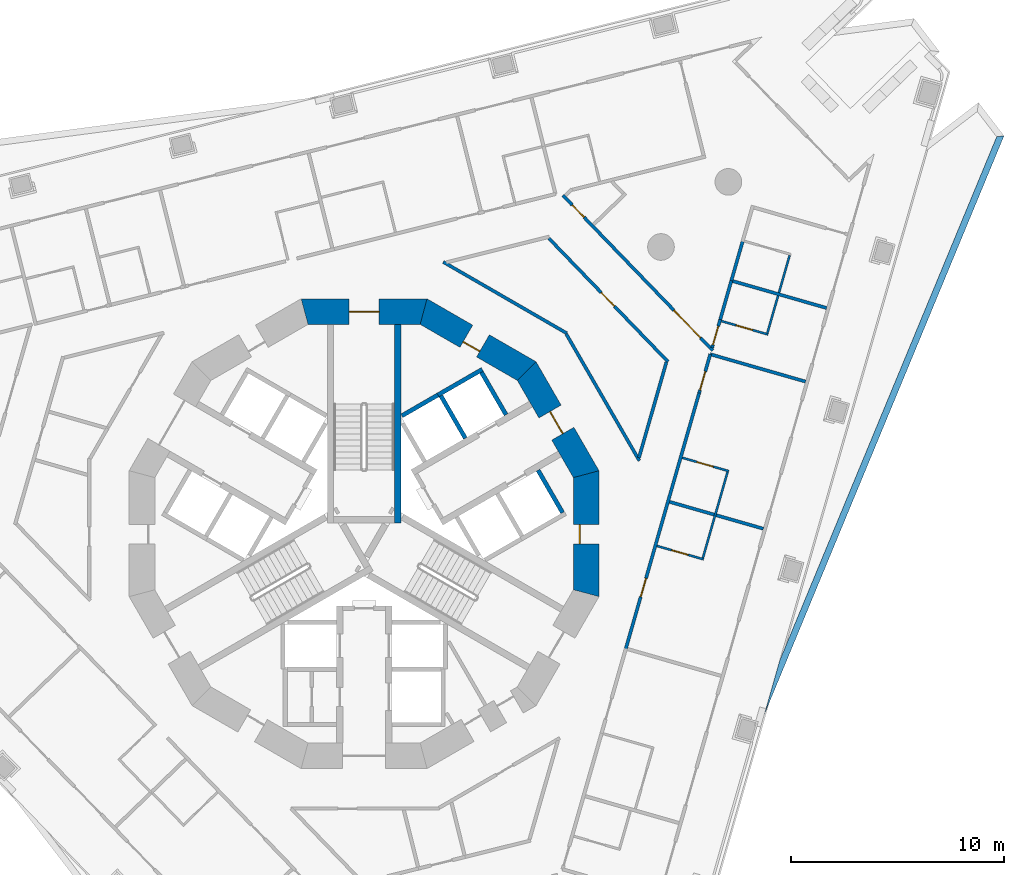
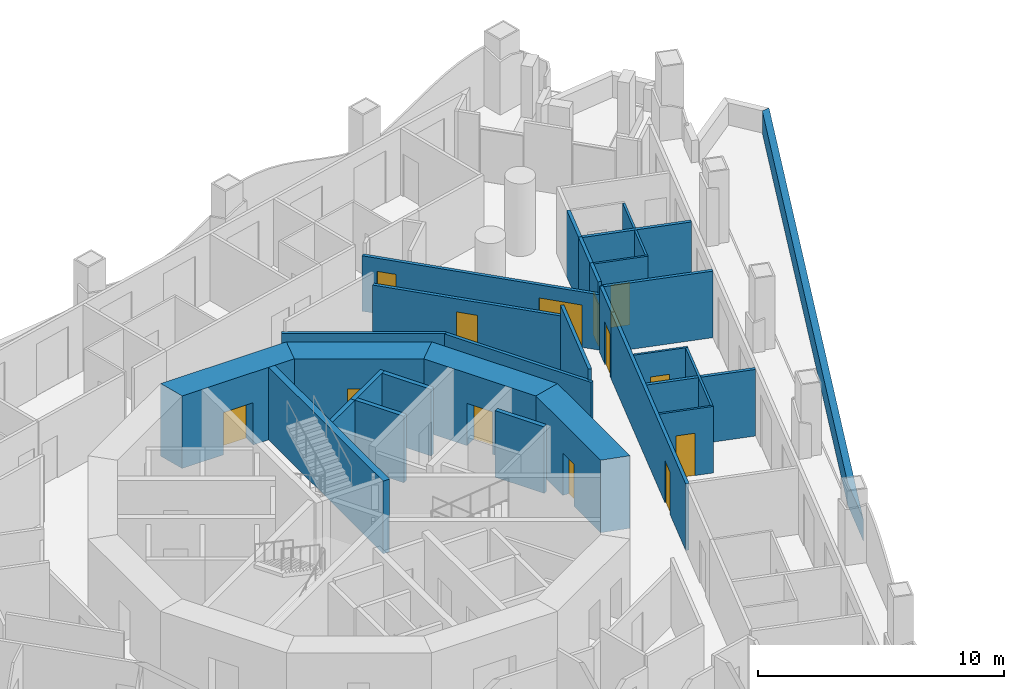
# One storey, part 9 of 19: 30 walls, 13 doors, 13 openings.
"""IFC4 building model written with IfcOpenShell, lengths in metres."""

from ifc_helpers import new_model, si_unit, direction, frame, frame_2d, origin, place, context, subcontext, project, spatial, polyline, rectangle, outline, extrude, material, layer, layer_set, type_object, element, fill, save


model = new_model("IFC4")

# Units and contexts
model_context = context("Model", 3, precision=1e-05, world=origin(), true_north=direction((0.0, 1.0)))
body_context = subcontext(model_context, "Body", "Model", "MODEL_VIEW")
ifc_project = project(units=[si_unit("LENGTHUNIT", "METRE"), si_unit("AREAUNIT", "SQUARE_METRE"), si_unit("VOLUMEUNIT", "CUBIC_METRE"), si_unit("PLANEANGLEUNIT", "RADIAN"), si_unit("MASSUNIT", "GRAM", prefix="KILO")], contexts=[model_context])

# Site, building, storey
site_placement = place(None, origin())
site = spatial("IfcSite", under=ifc_project, at=site_placement, CompositionType="ELEMENT")
building_placement = place(site_placement, origin())
building = spatial("IfcBuilding", under=site, at=building_placement, Name="Trine Commons Tower", CompositionType="ELEMENT")
storey_placement = place(building_placement, frame((0.0, 0.0, 87.300048828125)))
storey = spatial("IfcBuildingStorey", under=building, at=storey_placement, Name="L21", CompositionType="ELEMENT", Elevation=87.300048828125)

# Wall, opening, door
ifc_material_1 = material(Name="Concrete C70/85", Category="concrete")
ifc_layer_1 = layer(ifc_material_1, 1.199951171875)
ifc_layer_set_1 = layer_set([ifc_layer_1], Name="Concrete C70/85")
wall_type_1 = type_object("IfcWallType", Name="RC shear wall 1200 mm, C70/85", PredefinedType="SHEAR", material=ifc_layer_set_1)
wall_1_placement = place(storey_placement, frame((90.41162109375, 59.549560546875, 0.0), z_axis=(0.0, 0.0, 1.0), x_axis=(0.0, 1.0, 0.0)))
wall_1 = element("IfcWall", 1, at=wall_1_placement, inside=storey, type_object=wall_type_1, Name="Core wall CWC-01 L21", PredefinedType="SHEAR", context=body_context, shape_type="SweptSolid", body=[
    extrude(outline(polyline([(0.0, -0.60009765625), (5.90087890625, -0.60009765625), (5.57958984375, 0.60009765625), (0.321533203125, 0.60009765625), (0.0, -0.60009765625)])), origin(), (0.0, 0.0, 1.0), 3.599853515625),
])
opening_1_placement = place(wall_1_placement, frame((2.4755859375, 0.0, 0.0)))
opening_1 = element("IfcOpeningElement", 2, at=opening_1_placement, cuts=wall_1, Name="Opening K04.18", PredefinedType="OPENING", context=body_context, shape_type="SweptSolid", body=[
    extrude(rectangle(XDim=0.89990234375, YDim=2.10009765625, at=frame_2d((0.449951171875, 1.050048828125))), frame((0.0, 0.60986328125, 0.0), z_axis=(0.0, -1.0, 0.0), x_axis=(1.0, 0.0, 0.0)), (0.0, 0.0, 1.0), 1.219970703125),
])
ifc_material_2 = material(Name="Steel door leaf, fire-rated", Category="steel")
door_type_1 = type_object("IfcDoorType", Name="Core room door, single leaf 900 x 2100, FD30S", OperationType="SINGLE_SWING_LEFT", PredefinedType="DOOR", material=ifc_material_2)
door_1_placement = place(opening_1_placement, origin())
door_1 = element("IfcDoor", 3, at=door_1_placement, inside=storey, type_object=door_type_1, Name="Door to Parcel store L21", OperationType="SINGLE_SWING_LEFT", OverallHeight=2.10009765625, OverallWidth=0.89990234375, PredefinedType="DOOR", context=body_context, shape_type="SweptSolid", body=[
    extrude(rectangle(XDim=0.89990234375, YDim=2.10009765625, at=frame_2d((0.449951171875, 1.050048828125))), frame((0.0, 0.3251953125, 0.0), z_axis=(0.0, -1.0, 0.0), x_axis=(1.0, 0.0, 0.0)), (0.0, 0.0, 1.0), 0.050048828125),
])
fill(opening_1, door_1)

wall_2_placement = place(storey_placement, frame((90.491943359375, 65.150390625, 0.0), z_axis=(0.0, 0.0, 1.0), x_axis=(-0.499979111662, 0.866037463336, 0.0)))
wall_2 = element("IfcWall", 4, at=wall_2_placement, inside=storey, type_object=wall_type_1, Name="Core wall CWC-02 L21", PredefinedType="SHEAR", context=body_context, shape_type="SweptSolid", body=[
    extrude(outline(polyline([(0.0, -0.60009765625), (5.901123046875, -0.60009765625), (5.57958984375, 0.60009765625), (0.321533203125, 0.60009765625), (0.0, -0.60009765625)])), origin(), (0.0, 0.0, 1.0), 3.599853515625),
])
opening_2_placement = place(wall_2_placement, frame((2.3505859375, 0.0, 0.0)))
opening_2 = element("IfcOpeningElement", 5, at=opening_2_placement, cuts=wall_2, Name="Opening K04.04", PredefinedType="OPENING", context=body_context, shape_type="SweptSolid", body=[
    extrude(rectangle(XDim=1.199951171875, YDim=2.10009765625, at=frame_2d((0.60009765625, 1.050048828125))), frame((0.0, 0.60986328125, 0.0), z_axis=(0.0, -1.0, 0.0), x_axis=(1.0, 0.0, 0.0)), (0.0, 0.0, 1.0), 1.219970703125),
])
ifc_material_3 = material(Name="Steel door leaves, fire-rated", Category="steel")
door_type_2 = type_object("IfcDoorType", Name="Lobby door, double leaf 1200 x 2100, FD60", OperationType="DOUBLE_DOOR_SINGLE_SWING", PredefinedType="DOOR", material=ifc_material_3)
door_2_placement = place(opening_2_placement, origin())
door_2 = element("IfcDoor", 6, at=door_2_placement, inside=storey, type_object=door_type_2, Name="Lobby door, Passenger lift lobby A L21", OperationType="DOUBLE_DOOR_SINGLE_SWING", OverallHeight=2.10009765625, OverallWidth=1.199951171875, PredefinedType="DOOR", context=body_context, shape_type="SweptSolid", body=[
    extrude(rectangle(XDim=1.199951171875, YDim=2.10009765625, at=frame_2d((0.60009765625, 1.050048828125))), frame((0.0, 0.02490234375, 0.0), z_axis=(0.0, -1.0, 0.0), x_axis=(1.0, 0.0, 0.0)), (0.0, 0.0, 1.0), 0.050048828125),
])
fill(opening_2, door_2)

wall_3_placement = place(storey_placement, frame((87.760986328125, 70.04150390625, 0.0), z_axis=(0.0, 0.0, 1.0), x_axis=(-0.866037463336, 0.499979111662, 0.0)))
wall_3 = element("IfcWall", 7, at=wall_3_placement, inside=storey, type_object=wall_type_1, Name="Core wall CWC-03 L21", PredefinedType="SHEAR", context=body_context, shape_type="SweptSolid", body=[
    extrude(outline(polyline([(0.0, -0.60009765625), (5.901123046875, -0.60009765625), (5.57958984375, 0.60009765625), (0.321533203125, 0.60009765625), (0.0, -0.60009765625)])), origin(), (0.0, 0.0, 1.0), 3.599853515625),
])
opening_3_placement = place(wall_3_placement, frame((2.526611328125, 0.0, 0.0)))
opening_3 = element("IfcOpeningElement", 8, at=opening_3_placement, cuts=wall_3, Name="Opening K04.12", PredefinedType="OPENING", context=body_context, shape_type="SweptSolid", body=[
    extrude(rectangle(XDim=0.89990234375, YDim=2.10009765625, at=frame_2d((0.449951171875, 1.050048828125))), frame((0.0, 0.60986328125, 0.0), z_axis=(0.0, -1.0, 0.0), x_axis=(1.0, 0.0, 0.0)), (0.0, 0.0, 1.0), 1.219970703125),
])
door_3_placement = place(opening_3_placement, origin())
door_3 = element("IfcDoor", 9, at=door_3_placement, inside=storey, type_object=door_type_1, Name="Door to Linen store L21", OperationType="SINGLE_SWING_RIGHT", OverallHeight=2.10009765625, OverallWidth=0.89990234375, PredefinedType="DOOR", context=body_context, shape_type="SweptSolid", body=[
    extrude(rectangle(XDim=0.89990234375, YDim=2.10009765625, at=frame_2d((0.449951171875, 1.050048828125))), frame((0.0, 0.3251953125, 0.0), z_axis=(0.0, -1.0, 0.0), x_axis=(1.0, 0.0, 0.0)), (0.0, 0.0, 1.0), 0.050048828125),
])
fill(opening_3, door_3)

wall_4_placement = place(storey_placement, frame((82.950439453125, 72.91162109375, 0.0), z_axis=(0.0, 0.0, 1.0), x_axis=(-1.0, 0.0, 0.0)))
wall_4 = element("IfcWall", 10, at=wall_4_placement, inside=storey, type_object=wall_type_1, Name="Core wall CWC-04 L21", PredefinedType="SHEAR", context=body_context, shape_type="SweptSolid", body=[
    extrude(outline(polyline([(0.0, -0.60009765625), (5.90087890625, -0.60009765625), (5.57958984375, 0.60009765625), (0.321533203125, 0.60009765625), (0.0, -0.60009765625)])), origin(), (0.0, 0.0, 1.0), 3.599853515625),
])
opening_4_placement = place(wall_4_placement, frame((2.25048828125, 0.0, 0.0)))
opening_4 = element("IfcOpeningElement", 11, at=opening_4_placement, cuts=wall_4, Name="Opening K04.01", PredefinedType="OPENING", context=body_context, shape_type="SweptSolid", body=[
    extrude(rectangle(XDim=1.39990234375, YDim=2.10009765625, at=frame_2d((0.699951171875, 1.050048828125))), frame((0.0, 0.60986328125, 0.0), z_axis=(0.0, -1.0, 0.0), x_axis=(1.0, 0.0, 0.0)), (0.0, 0.0, 1.0), 1.219970703125),
])
door_type_3 = type_object("IfcDoorType", Name="Stair door, double leaf 1400 x 2100, FD90", OperationType="DOUBLE_DOOR_SINGLE_SWING", PredefinedType="DOOR", material=ifc_material_3)
door_4_placement = place(opening_4_placement, origin())
door_4 = element("IfcDoor", 12, at=door_4_placement, inside=storey, type_object=door_type_3, Name="Stair door to Exit stair ST1A L21", OperationType="DOUBLE_DOOR_SINGLE_SWING", OverallHeight=2.10009765625, OverallWidth=1.39990234375, PredefinedType="DOOR", context=body_context, shape_type="SweptSolid", body=[
    extrude(rectangle(XDim=1.39990234375, YDim=2.10009765625, at=frame_2d((0.699951171875, 1.050048828125))), frame((0.0, 0.02490234375, 0.0), z_axis=(0.0, -1.0, 0.0), x_axis=(1.0, 0.0, 0.0)), (0.0, 0.0, 1.0), 0.050048828125),
])
fill(opening_4, door_4)

# Walls
ifc_layer_2 = layer(ifc_material_1, 0.300048828125)
ifc_layer_set_2 = layer_set([ifc_layer_2], Name="Concrete C70/85")
wall_type_2 = type_object("IfcWallType", Name="RC shear wall 300 mm, C70/85", PredefinedType="SHEAR", material=ifc_layer_set_2)
wall_5_placement = place(storey_placement, frame((81.574951171875, 63.0009765625, 0.0), z_axis=(0.0, 0.0, 1.0), x_axis=(0.0, 1.0, 0.0)))
element("IfcWall", 13, at=wall_5_placement, inside=storey, type_object=wall_type_2, Name="Core cross wall SWA-17 L21", PredefinedType="SHEAR", context=body_context, shape_type="SweptSolid", body=[
    extrude(rectangle(XDim=9.31103515625, YDim=0.300048828125, at=frame_2d((4.655517578125, 0.0))), origin(), (0.0, 0.0, 1.0), 3.599853515625),
])
ifc_material_4 = material(Name="Fire-rated gypsum shaft wall system")
ifc_layer_3 = layer(ifc_material_4, 0.199951171875)
ifc_layer_set_3 = layer_set([ifc_layer_3], Name="Fire-rated gypsum shaft wall system")
wall_type_3 = type_object("IfcWallType", Name="Shaft wall 200 mm, EI 120", PredefinedType="PARTITIONING", material=ifc_layer_set_3)
wall_6_placement = place(storey_placement, frame((81.77490234375, 68.028076171875, 0.0), z_axis=(0.0, 0.0, 1.0), x_axis=(0.866052014814, 0.499953905513, 0.0)))
element("IfcWall", 14, at=wall_6_placement, inside=storey, type_object=wall_type_3, Name="Shaft wall L21", PredefinedType="PARTITIONING", context=body_context, shape_type="SweptSolid", body=[
    extrude(rectangle(XDim=1.947998046875, YDim=0.199951171875, at=frame_2d((0.97412109375, 0.0))), origin(), (0.0, 0.0, 1.0), 3.300048828125),
])
wall_7_placement = place(storey_placement, frame((83.4619140625, 69.001953125, 0.0), z_axis=(0.0, 0.0, 1.0), x_axis=(0.866202511239, 0.499693115345, 0.0)))
element("IfcWall", 15, at=wall_7_placement, inside=storey, type_object=wall_type_3, Name="Shaft wall L21", PredefinedType="PARTITIONING", context=body_context, shape_type="SweptSolid", body=[
    extrude(rectangle(XDim=2.4013671875, YDim=0.199951171875, at=frame_2d((1.20068359375, 0.0))), origin(), (0.0, 0.0, 1.0), 3.300048828125),
])
wall_8_placement = place(storey_placement, frame((84.7490234375, 66.97412109375, 0.0), z_axis=(0.0, 0.0, 1.0), x_axis=(-0.500136062276, 0.86594683394, 0.0)))
element("IfcWall", 16, at=wall_8_placement, inside=storey, type_object=wall_type_3, Name="Shaft wall L21", PredefinedType="PARTITIONING", context=body_context, shape_type="SweptSolid", body=[
    extrude(rectangle(XDim=2.299072265625, YDim=0.199951171875, at=frame_2d((1.1494140625, 0.0))), origin(), (0.0, 0.0, 1.0), 3.300048828125),
])
wall_9_placement = place(storey_placement, frame((86.655029296875, 68.073974609375, 0.0), z_axis=(0.0, 0.0, 1.0), x_axis=(-0.500215680983, 0.865900844496, 0.0)))
element("IfcWall", 17, at=wall_9_placement, inside=storey, type_object=wall_type_3, Name="Shaft wall L21", PredefinedType="PARTITIONING", context=body_context, shape_type="SweptSolid", body=[
    extrude(rectangle(XDim=2.29931640625, YDim=0.199951171875, at=frame_2d((1.149658203125, 0.0))), origin(), (0.0, 0.0, 1.0), 3.300048828125),
])
wall_10_placement = place(storey_placement, frame((88.155029296875, 65.47607421875, 0.0), z_axis=(0.0, 0.0, 1.0), x_axis=(0.500136062276, -0.86594683394, 0.0)))
element("IfcWall", 18, at=wall_10_placement, inside=storey, type_object=wall_type_3, Name="Shaft wall L21", PredefinedType="PARTITIONING", context=body_context, shape_type="SweptSolid", body=[
    extrude(rectangle(XDim=2.299072265625, YDim=0.199951171875, at=frame_2d((1.1494140625, 0.0))), origin(), (0.0, 0.0, 1.0), 3.300048828125),
])
ifc_material_5 = material(Name="Limestone, honed", Category="masonry")
ifc_layer_4 = layer(ifc_material_5, 0.300048828125)
ifc_layer_set_4 = layer_set([ifc_layer_4], Name="Limestone, honed")
wall_type_4 = type_object("IfcWallType", Name="Stone parapet 300", PredefinedType="PARAPET", material=ifc_layer_set_4)
wall_11_placement = place(storey_placement, origin())
element("IfcWall", 19, at=wall_11_placement, inside=storey, type_object=wall_type_4, Name="Sliver roof parapet L20 6.1", PredefinedType="PARAPET", context=body_context, shape_type="SweptSolid", body=[
    extrude(outline(polyline([(98.7548828125, 54.0087890625), (109.998046875, 81.15185546875), (109.654541015625, 81.106689453125), (99.4853515625, 56.55615234375), (98.7548828125, 54.0087890625)])), origin(), (0.0, 0.0, 1.0), 1.099853515625),
])
ifc_material_6 = material(Name="Gypsum plasterboard on steel stud", Category="steel")
ifc_layer_5 = layer(ifc_material_6, 0.14990234375)
ifc_layer_set_5 = layer_set([ifc_layer_5], Name="Gypsum plasterboard on steel stud")
wall_type_5 = type_object("IfcWallType", Name="Unit and corridor wall 150 mm, EI 60", PredefinedType="PARTITIONING", material=ifc_layer_set_5)
wall_12_placement = place(storey_placement, frame((83.7119140625, 75.237548828125, 0.0), z_axis=(0.0, 0.0, 1.0), x_axis=(0.866033484359, -0.499986003774, 0.0)))
element("IfcWall", 20, at=wall_12_placement, inside=storey, type_object=wall_type_5, Name="Partition 074", PredefinedType="PARTITIONING", context=body_context, shape_type="SweptSolid", body=[
    extrude(rectangle(XDim=6.682373046875, YDim=0.14990234375, at=frame_2d((3.34130859375, 0.0))), origin(), (0.0, 0.0, 1.0), 2.75),
])

# Wall, opening, door
wall_13_placement = place(storey_placement, frame((88.6591796875, 76.34716796875, 0.0), z_axis=(0.0, 0.0, 1.0), x_axis=(0.694672534157, -0.719326122345, 0.0)))
wall_13 = element("IfcWall", 21, at=wall_13_placement, inside=storey, type_object=wall_type_5, Name="Partition 094", PredefinedType="PARTITIONING", context=body_context, shape_type="SweptSolid", body=[
    extrude(rectangle(XDim=8.041015625, YDim=0.14990234375, at=frame_2d((4.0205078125, 0.0))), origin(), (0.0, 0.0, 1.0), 2.75),
])
opening_5_placement = place(wall_13_placement, frame((3.533203125, 0.0, 0.0)))
opening_5 = element("IfcOpeningElement", 22, at=opening_5_placement, cuts=wall_13, Name="Opening D-3A29", PredefinedType="OPENING", context=body_context, shape_type="SweptSolid", body=[
    extrude(rectangle(XDim=0.89990234375, YDim=2.10009765625, at=frame_2d((0.449951171875, 1.050048828125))), frame((0.0, 0.0849609375, 0.0), z_axis=(0.0, -1.0, 0.0), x_axis=(1.0, 0.0, 0.0)), (0.0, 0.0, 1.0), 0.169921875),
])
ifc_material_7 = material(Name="Timber fire door set", Category="wood")
door_type_4 = type_object("IfcDoorType", Name="Service door 900 x 2100, FD30S", OperationType="NOTDEFINED", PredefinedType="DOOR", material=ifc_material_7)
door_5_placement = place(opening_5_placement, frame((0.89990234375, 0.0, 0.0), z_axis=(0.0, 0.0, 1.0), x_axis=(-1.0, 0.0, 0.0)))
door_5 = element("IfcDoor", 23, at=door_5_placement, inside=storey, type_object=door_type_4, Name="Door D-3A29", OperationType="SINGLE_SWING_RIGHT", OverallHeight=2.10009765625, OverallWidth=0.89990234375, PredefinedType="DOOR", context=body_context, shape_type="SweptSolid", body=[
    extrude(rectangle(XDim=0.89990234375, YDim=2.10009765625, at=frame_2d((0.449951171875, 1.050048828125))), frame((0.0, 0.02490234375, 0.0), z_axis=(0.0, -1.0, 0.0), x_axis=(1.0, 0.0, 0.0)), (0.0, 0.0, 1.0), 0.050048828125),
])
fill(opening_5, door_5)

# Wall, openings, doors
wall_14_placement = place(storey_placement, frame((89.322998046875, 78.35791015625, 0.0), z_axis=(0.0, 0.0, 1.0), x_axis=(0.694707851552, -0.719292013713, 0.0)))
wall_14 = element("IfcWall", 24, at=wall_14_placement, inside=storey, type_object=wall_type_5, Name="Partition 098", PredefinedType="PARTITIONING", context=body_context, shape_type="SweptSolid", body=[
    extrude(rectangle(XDim=10.109619140625, YDim=0.14990234375, at=frame_2d((5.0546875, 0.0))), origin(), (0.0, 0.0, 1.0), 2.75),
])
opening_6_placement = place(wall_14_placement, frame((7.484130859375, 0.0, 0.0)))
opening_6 = element("IfcOpeningElement", 25, at=opening_6_placement, cuts=wall_14, Name="Opening D-3A01", PredefinedType="OPENING", context=body_context, shape_type="SweptSolid", body=[
    extrude(rectangle(XDim=1.800048828125, YDim=2.10009765625, at=frame_2d((0.89990234375, 1.050048828125))), frame((0.0, 0.0849609375, 0.0), z_axis=(0.0, -1.0, 0.0), x_axis=(1.0, 0.0, 0.0)), (0.0, 0.0, 1.0), 0.169921875),
])
opening_7_placement = place(wall_14_placement, frame((0.628662109375, 0.0, 0.0)))
opening_7 = element("IfcOpeningElement", 26, at=opening_7_placement, cuts=wall_14, Name="Opening D-3A04", PredefinedType="OPENING", context=body_context, shape_type="SweptSolid", body=[
    extrude(rectangle(XDim=0.800048828125, YDim=2.10009765625, at=frame_2d((0.39990234375, 1.050048828125))), frame((0.0, 0.0849609375, 0.0), z_axis=(0.0, -1.0, 0.0), x_axis=(1.0, 0.0, 0.0)), (0.0, 0.0, 1.0), 0.169921875),
])
door_type_5 = type_object("IfcDoorType", Name="Cluster entrance door 1800 x 2100, double leaf, FD30S", OperationType="DOUBLE_DOOR_DOUBLE_SWING", PredefinedType="DOOR", material=ifc_material_7)
door_6_placement = place(opening_6_placement, origin())
door_6 = element("IfcDoor", 27, at=door_6_placement, inside=storey, type_object=door_type_5, Name="Door D-3A01", OperationType="DOUBLE_DOOR_DOUBLE_SWING", OverallHeight=2.10009765625, OverallWidth=1.800048828125, PredefinedType="DOOR", context=body_context, shape_type="SweptSolid", body=[
    extrude(rectangle(XDim=1.800048828125, YDim=2.10009765625, at=frame_2d((0.89990234375, 1.050048828125))), frame((0.0, 0.02490234375, 0.0), z_axis=(0.0, -1.0, 0.0), x_axis=(1.0, 0.0, 0.0)), (0.0, 0.0, 1.0), 0.050048828125),
])
fill(opening_6, door_6)
ifc_material_8 = material(Name="Painted timber", Category="wood")
door_type_6 = type_object("IfcDoorType", Name="Toilet door 800 x 2100, NOT RATED", OperationType="NOTDEFINED", PredefinedType="DOOR", material=ifc_material_8)
door_7_placement = place(opening_7_placement, origin())
door_7 = element("IfcDoor", 28, at=door_7_placement, inside=storey, type_object=door_type_6, Name="Door D-3A04", OperationType="SINGLE_SWING_LEFT", OverallHeight=2.10009765625, OverallWidth=0.800048828125, PredefinedType="DOOR", context=body_context, shape_type="SweptSolid", body=[
    extrude(rectangle(XDim=0.800048828125, YDim=2.10009765625, at=frame_2d((0.39990234375, 1.050048828125))), frame((0.0, 0.02490234375, 0.0), z_axis=(0.0, -1.0, 0.0), x_axis=(1.0, 0.0, 0.0)), (0.0, 0.0, 1.0), 0.050048828125),
])
fill(opening_7, door_7)

# Wall
wall_15_placement = place(storey_placement, frame((89.471435546875, 71.868896484375, 0.0), z_axis=(0.0, 0.0, 1.0), x_axis=(0.500000410344, -0.866025166872, 0.0)))
element("IfcWall", 29, at=wall_15_placement, inside=storey, type_object=wall_type_5, Name="Partition 100", PredefinedType="PARTITIONING", context=body_context, shape_type="SweptSolid", body=[
    extrude(rectangle(XDim=6.8681640625, YDim=0.14990234375, at=frame_2d((3.43408203125, 0.0))), origin(), (0.0, 0.0, 1.0), 2.75),
])

# Wall, opening, door
wall_16_placement = place(storey_placement, frame((92.250244140625, 57.037841796875, 0.0), z_axis=(0.0, 0.0, 1.0), x_axis=(0.275659542854, 0.961255333631, 0.0)))
wall_16 = element("IfcWall", 30, at=wall_16_placement, inside=storey, type_object=wall_type_5, Name="Partition 111", PredefinedType="PARTITIONING", context=body_context, shape_type="SweptSolid", body=[
    extrude(rectangle(XDim=12.5400390625, YDim=0.14990234375, at=frame_2d((6.27001953125, 0.0))), origin(), (0.0, 0.0, 1.0), 3.300048828125),
])
opening_8_placement = place(wall_16_placement, frame((2.60205078125, 0.0, 0.0)))
opening_8 = element("IfcOpeningElement", 31, at=opening_8_placement, cuts=wall_16, Name="Opening D-3A18", PredefinedType="OPENING", context=body_context, shape_type="SweptSolid", body=[
    extrude(rectangle(XDim=0.89990234375, YDim=2.10009765625, at=frame_2d((0.449951171875, 1.050048828125))), frame((0.0, 0.0849609375, 0.0), z_axis=(0.0, -1.0, 0.0), x_axis=(1.0, 0.0, 0.0)), (0.0, 0.0, 1.0), 0.169921875),
])
door_type_7 = type_object("IfcDoorType", Name="Bedroom door 900 x 2100, FD30S", OperationType="NOTDEFINED", PredefinedType="DOOR", material=ifc_material_7)
door_8_placement = place(opening_8_placement, frame((0.89990234375, 0.0, 0.0), z_axis=(0.0, 0.0, 1.0), x_axis=(-1.0, 0.0, 0.0)))
door_8 = element("IfcDoor", 32, at=door_8_placement, inside=storey, type_object=door_type_7, Name="Door D-3A18", OperationType="SINGLE_SWING_RIGHT", OverallHeight=2.10009765625, OverallWidth=0.89990234375, PredefinedType="DOOR", context=body_context, shape_type="SweptSolid", body=[
    extrude(rectangle(XDim=0.89990234375, YDim=2.10009765625, at=frame_2d((0.449951171875, 1.050048828125))), frame((0.0, 0.02490234375, 0.0), z_axis=(0.0, -1.0, 0.0), x_axis=(1.0, 0.0, 0.0)), (0.0, 0.0, 1.0), 0.050048828125),
])
fill(opening_8, door_8)

# Walls
wall_17_placement = place(storey_placement, frame((92.88671875, 66.06103515625, 0.0), z_axis=(0.0, 0.0, 1.0), x_axis=(0.275619666794, 0.961266768008, 0.0)))
element("IfcWall", 33, at=wall_17_placement, inside=storey, type_object=wall_type_5, Name="Partition 115", PredefinedType="PARTITIONING", context=body_context, shape_type="SweptSolid", body=[
    extrude(rectangle(XDim=4.66455078125, YDim=0.14990234375, at=frame_2d((2.332275390625, 0.0))), origin(), (0.0, 0.0, 1.0), 3.300048828125),
])
wall_18_placement = place(storey_placement, frame((94.322021484375, 63.9921875, 0.0), z_axis=(0.0, 0.0, 1.0), x_axis=(0.961269673231, -0.275609534171, 0.0)))
element("IfcWall", 34, at=wall_18_placement, inside=storey, type_object=wall_type_5, Name="Partition 117", PredefinedType="PARTITIONING", context=body_context, shape_type="SweptSolid", body=[
    extrude(rectangle(XDim=4.572509765625, YDim=0.14990234375, at=frame_2d((2.2861328125, 0.0))), origin(), (0.0, 0.0, 1.0), 3.300048828125),
])

# Wall, opening, door
wall_19_placement = place(storey_placement, frame((95.70703125, 69.092041015625, 0.0), z_axis=(0.0, 0.0, 1.0), x_axis=(0.275265230362, 0.961368323253, 0.0)))
wall_19 = element("IfcWall", 35, at=wall_19_placement, inside=storey, type_object=wall_type_5, Name="Partition 120", PredefinedType="PARTITIONING", context=body_context, shape_type="SweptSolid", body=[
    extrude(rectangle(XDim=1.896240234375, YDim=0.14990234375, at=frame_2d((0.9482421875, 0.0))), origin(), (0.0, 0.0, 1.0), 3.300048828125),
])
opening_9_placement = place(wall_19_placement, frame((0.14990234375, 0.0, 0.0)))
opening_9 = element("IfcOpeningElement", 36, at=opening_9_placement, cuts=wall_19, Name="Opening D-3A17", PredefinedType="OPENING", context=body_context, shape_type="SweptSolid", body=[
    extrude(rectangle(XDim=0.89990234375, YDim=2.10009765625, at=frame_2d((0.449951171875, 1.050048828125))), frame((0.0, 0.0849609375, 0.0), z_axis=(0.0, -1.0, 0.0), x_axis=(1.0, 0.0, 0.0)), (0.0, 0.0, 1.0), 0.169921875),
])
door_9_placement = place(opening_9_placement, frame((0.89990234375, 0.0, 0.0), z_axis=(0.0, 0.0, 1.0), x_axis=(-1.0, 0.0, 0.0)))
door_9 = element("IfcDoor", 37, at=door_9_placement, inside=storey, type_object=door_type_7, Name="Door D-3A17", OperationType="SINGLE_SWING_RIGHT", OverallHeight=2.10009765625, OverallWidth=0.89990234375, PredefinedType="DOOR", context=body_context, shape_type="SweptSolid", body=[
    extrude(rectangle(XDim=0.89990234375, YDim=2.10009765625, at=frame_2d((0.449951171875, 1.050048828125))), frame((0.0, 0.02490234375, 0.0), z_axis=(0.0, -1.0, 0.0), x_axis=(1.0, 0.0, 0.0)), (0.0, 0.0, 1.0), 0.050048828125),
])
fill(opening_9, door_9)

# Wall
wall_20_placement = place(storey_placement, frame((96.22802734375, 70.910888671875, 0.0), z_axis=(0.0, 0.0, 1.0), x_axis=(0.961263836782, -0.275629889699, 0.0)))
element("IfcWall", 38, at=wall_20_placement, inside=storey, type_object=wall_type_5, Name="Partition 122", PredefinedType="PARTITIONING", context=body_context, shape_type="SweptSolid", body=[
    extrude(rectangle(XDim=4.6474609375, YDim=0.14990234375, at=frame_2d((2.32373046875, 0.0))), origin(), (0.0, 0.0, 1.0), 3.300048828125),
])

# Wall, opening, door
wall_21_placement = place(storey_placement, frame((96.314697265625, 71.212158203125, 0.0), z_axis=(0.0, 0.0, 1.0), x_axis=(0.275585969496, 0.961276429242, 0.0)))
wall_21 = element("IfcWall", 39, at=wall_21_placement, inside=storey, type_object=wall_type_5, Name="Partition 123", PredefinedType="PARTITIONING", context=body_context, shape_type="SweptSolid", body=[
    extrude(rectangle(XDim=1.37939453125, YDim=0.14990234375, at=frame_2d((0.689697265625, 0.0))), origin(), (0.0, 0.0, 1.0), 3.300048828125),
])
opening_10_placement = place(wall_21_placement, frame((0.14990234375, 0.0, 0.0)))
opening_10 = element("IfcOpeningElement", 40, at=opening_10_placement, cuts=wall_21, Name="Opening D-3A16", PredefinedType="OPENING", context=body_context, shape_type="SweptSolid", body=[
    extrude(rectangle(XDim=0.89990234375, YDim=2.10009765625, at=frame_2d((0.449951171875, 1.050048828125))), frame((0.0, 0.0849609375, 0.0), z_axis=(0.0, -1.0, 0.0), x_axis=(1.0, 0.0, 0.0)), (0.0, 0.0, 1.0), 0.169921875),
])
door_10_placement = place(opening_10_placement, frame((0.89990234375, 0.0, 0.0), z_axis=(0.0, 0.0, 1.0), x_axis=(-1.0, 0.0, 0.0)))
door_10 = element("IfcDoor", 41, at=door_10_placement, inside=storey, type_object=door_type_7, Name="Door D-3A16", OperationType="SINGLE_SWING_RIGHT", OverallHeight=2.10009765625, OverallWidth=0.89990234375, PredefinedType="DOOR", context=body_context, shape_type="SweptSolid", body=[
    extrude(rectangle(XDim=0.89990234375, YDim=2.10009765625, at=frame_2d((0.449951171875, 1.050048828125))), frame((0.0, 0.02490234375, 0.0), z_axis=(0.0, -1.0, 0.0), x_axis=(1.0, 0.0, 0.0)), (0.0, 0.0, 1.0), 0.050048828125),
])
fill(opening_10, door_10)

# Walls
wall_22_placement = place(storey_placement, frame((96.678955078125, 72.48193359375, 0.0), z_axis=(0.0, 0.0, 1.0), x_axis=(0.27541423688, 0.961325646243, 0.0)))
element("IfcWall", 42, at=wall_22_placement, inside=storey, type_object=wall_type_5, Name="Partition 124", PredefinedType="PARTITIONING", context=body_context, shape_type="SweptSolid", body=[
    extrude(rectangle(XDim=1.95361328125, YDim=0.14990234375, at=frame_2d((0.976806640625, 0.0))), origin(), (0.0, 0.0, 1.0), 3.300048828125),
])
wall_23_placement = place(storey_placement, frame((97.217041015625, 74.360107421875, 0.0), z_axis=(0.0, 0.0, 1.0), x_axis=(0.275776711259, 0.961221725476, 0.0)))
element("IfcWall", 43, at=wall_23_placement, inside=storey, type_object=wall_type_5, Name="Partition 126", PredefinedType="PARTITIONING", context=body_context, shape_type="SweptSolid", body=[
    extrude(rectangle(XDim=1.95458984375, YDim=0.14990234375, at=frame_2d((0.977294921875, 0.0))), origin(), (0.0, 0.0, 1.0), 3.300048828125),
])
wall_24_placement = place(storey_placement, frame((97.2890625, 74.33935546875, 0.0), z_axis=(0.0, 0.0, 1.0), x_axis=(0.961269673231, -0.275609534171, 0.0)))
element("IfcWall", 44, at=wall_24_placement, inside=storey, type_object=wall_type_5, Name="Partition 127", PredefinedType="PARTITIONING", context=body_context, shape_type="SweptSolid", body=[
    extrude(rectangle(XDim=4.572509765625, YDim=0.14990234375, at=frame_2d((2.2861328125, 0.0))), origin(), (0.0, 0.0, 1.0), 3.300048828125),
])

# Wall, opening, door
ifc_layer_6 = layer(ifc_material_6, 0.10009765625)
ifc_layer_set_6 = layer_set([ifc_layer_6], Name="Gypsum plasterboard on steel stud")
wall_type_6 = type_object("IfcWallType", Name="Unit partition 100 mm, no rating", PredefinedType="PARTITIONING", material=ifc_layer_set_6)
wall_25_placement = place(storey_placement, frame((93.72900390625, 61.92529296875, 0.0), z_axis=(0.0, 0.0, 1.0), x_axis=(0.961252175385, -0.275670555767, 0.0)))
wall_25 = element("IfcWall", 45, at=wall_25_placement, inside=storey, type_object=wall_type_6, Name="Partition 116", PredefinedType="PARTITIONING", context=body_context, shape_type="SweptSolid", body=[
    extrude(rectangle(XDim=2.275146484375, YDim=0.10009765625, at=frame_2d((1.1376953125, 0.0))), origin(), (0.0, 0.0, 1.0), 3.300048828125),
])
opening_11_placement = place(wall_25_placement, frame((0.71240234375, 0.0, 0.0)))
opening_11 = element("IfcOpeningElement", 46, at=opening_11_placement, cuts=wall_25, Name="Opening D-3A47", PredefinedType="OPENING", context=body_context, shape_type="SweptSolid", body=[
    extrude(rectangle(XDim=0.800048828125, YDim=2.10009765625, at=frame_2d((0.39990234375, 1.050048828125))), frame((0.0, 0.06005859375, 0.0), z_axis=(0.0, -1.0, 0.0), x_axis=(1.0, 0.0, 0.0)), (0.0, 0.0, 1.0), 0.1201171875),
])
door_type_8 = type_object("IfcDoorType", Name="Internal door 800 x 2100, NOT RATED", OperationType="NOTDEFINED", PredefinedType="DOOR", material=ifc_material_8)
door_11_placement = place(opening_11_placement, frame((0.800048828125, 0.0, 0.0), z_axis=(0.0, 0.0, 1.0), x_axis=(-1.0, 0.0, 0.0)))
door_11 = element("IfcDoor", 47, at=door_11_placement, inside=storey, type_object=door_type_8, Name="Door D-3A47", OperationType="SINGLE_SWING_RIGHT", OverallHeight=2.10009765625, OverallWidth=0.800048828125, PredefinedType="DOOR", context=body_context, shape_type="SweptSolid", body=[
    extrude(rectangle(XDim=0.800048828125, YDim=2.10009765625, at=frame_2d((0.39990234375, 1.050048828125))), frame((0.0, 0.02490234375, 0.0), z_axis=(0.0, -1.0, 0.0), x_axis=(1.0, 0.0, 0.0)), (0.0, 0.0, 1.0), 0.050048828125),
])
fill(opening_11, door_11)

wall_26_placement = place(storey_placement, frame((94.9150390625, 66.059326171875, 0.0), z_axis=(0.0, 0.0, 1.0), x_axis=(0.961252175385, -0.275670555767, 0.0)))
wall_26 = element("IfcWall", 48, at=wall_26_placement, inside=storey, type_object=wall_type_6, Name="Partition 119", PredefinedType="PARTITIONING", context=body_context, shape_type="SweptSolid", body=[
    extrude(rectangle(XDim=2.275146484375, YDim=0.10009765625, at=frame_2d((1.1376953125, 0.0))), origin(), (0.0, 0.0, 1.0), 3.300048828125),
])
opening_12_placement = place(wall_26_placement, frame((0.71240234375, 0.0, 0.0)))
opening_12 = element("IfcOpeningElement", 49, at=opening_12_placement, cuts=wall_26, Name="Opening D-3A46", PredefinedType="OPENING", context=body_context, shape_type="SweptSolid", body=[
    extrude(rectangle(XDim=0.800048828125, YDim=2.10009765625, at=frame_2d((0.39990234375, 1.050048828125))), frame((0.0, 0.06005859375, 0.0), z_axis=(0.0, -1.0, 0.0), x_axis=(1.0, 0.0, 0.0)), (0.0, 0.0, 1.0), 0.1201171875),
])
door_12_placement = place(opening_12_placement, origin())
door_12 = element("IfcDoor", 50, at=door_12_placement, inside=storey, type_object=door_type_8, Name="Door D-3A46", OperationType="SINGLE_SWING_LEFT", OverallHeight=2.10009765625, OverallWidth=0.800048828125, PredefinedType="DOOR", context=body_context, shape_type="SweptSolid", body=[
    extrude(rectangle(XDim=0.800048828125, YDim=2.10009765625, at=frame_2d((0.39990234375, 1.050048828125))), frame((0.0, 0.02490234375, 0.0), z_axis=(0.0, -1.0, 0.0), x_axis=(1.0, 0.0, 0.0)), (0.0, 0.0, 1.0), 0.050048828125),
])
fill(opening_12, door_12)

# Wall
wall_27_placement = place(storey_placement, frame((95.8818359375, 61.360107421875, 0.0), z_axis=(0.0, 0.0, 1.0), x_axis=(0.275772580604, 0.961222910561, 0.0)))
element("IfcWall", 51, at=wall_27_placement, inside=storey, type_object=wall_type_6, Name="Partition 121", PredefinedType="PARTITIONING", context=body_context, shape_type="SweptSolid", body=[
    extrude(rectangle(XDim=4.20068359375, YDim=0.10009765625, at=frame_2d((2.100341796875, 0.0))), origin(), (0.0, 0.0, 1.0), 3.300048828125),
])

# Wall, opening, door
wall_28_placement = place(storey_placement, frame((96.752197265625, 72.46533203125, 0.0), z_axis=(0.0, 0.0, 1.0), x_axis=(0.961252175385, -0.275670555767, 0.0)))
wall_28 = element("IfcWall", 52, at=wall_28_placement, inside=storey, type_object=wall_type_6, Name="Partition 125", PredefinedType="PARTITIONING", context=body_context, shape_type="SweptSolid", body=[
    extrude(rectangle(XDim=2.275146484375, YDim=0.10009765625, at=frame_2d((1.1376953125, 0.0))), origin(), (0.0, 0.0, 1.0), 3.300048828125),
])
opening_13_placement = place(wall_28_placement, frame((0.71240234375, 0.0, 0.0)))
opening_13 = element("IfcOpeningElement", 53, at=opening_13_placement, cuts=wall_28, Name="Opening D-3A45", PredefinedType="OPENING", context=body_context, shape_type="SweptSolid", body=[
    extrude(rectangle(XDim=0.800048828125, YDim=2.10009765625, at=frame_2d((0.39990234375, 1.050048828125))), frame((0.0, 0.06005859375, 0.0), z_axis=(0.0, -1.0, 0.0), x_axis=(1.0, 0.0, 0.0)), (0.0, 0.0, 1.0), 0.1201171875),
])
door_13_placement = place(opening_13_placement, frame((0.800048828125, 0.0, 0.0), z_axis=(0.0, 0.0, 1.0), x_axis=(-1.0, 0.0, 0.0)))
door_13 = element("IfcDoor", 54, at=door_13_placement, inside=storey, type_object=door_type_8, Name="Door D-3A45", OperationType="SINGLE_SWING_RIGHT", OverallHeight=2.10009765625, OverallWidth=0.800048828125, PredefinedType="DOOR", context=body_context, shape_type="SweptSolid", body=[
    extrude(rectangle(XDim=0.800048828125, YDim=2.10009765625, at=frame_2d((0.39990234375, 1.050048828125))), frame((0.0, 0.02490234375, 0.0), z_axis=(0.0, -1.0, 0.0), x_axis=(1.0, 0.0, 0.0)), (0.0, 0.0, 1.0), 0.050048828125),
])
fill(opening_13, door_13)

# Walls
wall_29_placement = place(storey_placement, frame((98.90478515625, 71.900146484375, 0.0), z_axis=(0.0, 0.0, 1.0), x_axis=(0.275428095327, 0.96132167577, 0.0)))
element("IfcWall", 55, at=wall_29_placement, inside=storey, type_object=wall_type_6, Name="Partition 131", PredefinedType="PARTITIONING", context=body_context, shape_type="SweptSolid", body=[
    extrude(rectangle(XDim=1.82421875, YDim=0.10009765625, at=frame_2d((0.912109375, 0.0))), origin(), (0.0, 0.0, 1.0), 3.300048828125),
])
wall_30_placement = place(storey_placement, frame((99.44873046875, 73.798095703125, 0.0), z_axis=(0.0, 0.0, 1.0), x_axis=(0.275745372376, 0.96123071612, 0.0)))
element("IfcWall", 56, at=wall_30_placement, inside=storey, type_object=wall_type_6, Name="Partition 132", PredefinedType="PARTITIONING", context=body_context, shape_type="SweptSolid", body=[
    extrude(rectangle(XDim=1.82568359375, YDim=0.10009765625, at=frame_2d((0.912841796875, 0.0))), origin(), (0.0, 0.0, 1.0), 3.300048828125),
])

save(model, "model.ifc")
